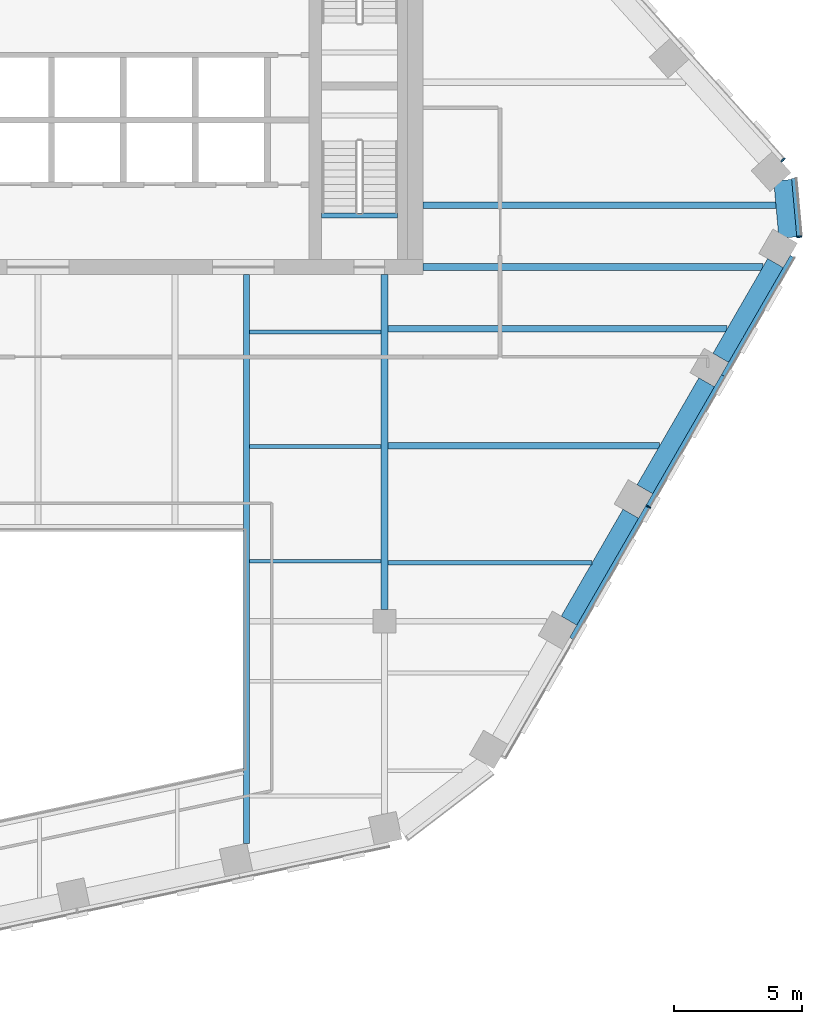
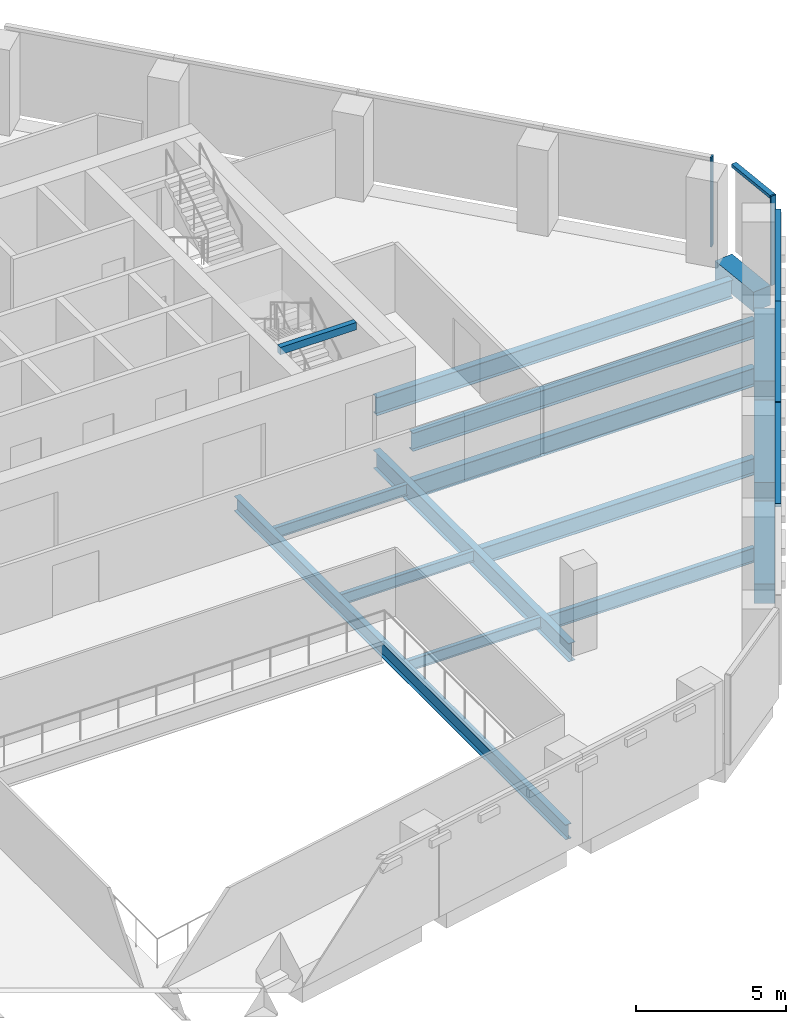
# One storey, part 5 of 16: 15 beams, 7 members, 3 elements without a shape of their own.
"""IFC4 building model written with IfcOpenShell, lengths in metres."""

from ifc_helpers import new_model, si_unit, direction, frame, origin, origin_2d, place, context, subcontext, project, spatial, rectangle, i_section, extrude, material, layer, layer_set, material_profile, profile_set, type_object, element, aggregate, save


model = new_model("IFC4")

# Units and contexts
model_context = context("Model", 3, precision=1e-05, world=origin(), true_north=direction((0.0, 1.0)))
body_context = subcontext(model_context, "Body", "Model", "MODEL_VIEW")
ifc_project = project(units=[si_unit("LENGTHUNIT", "METRE"), si_unit("AREAUNIT", "SQUARE_METRE"), si_unit("VOLUMEUNIT", "CUBIC_METRE"), si_unit("PLANEANGLEUNIT", "RADIAN"), si_unit("MASSUNIT", "GRAM", prefix="KILO")], contexts=[model_context])

# Site, building, storey
site_placement = place(None, origin())
site = spatial("IfcSite", under=ifc_project, at=site_placement, CompositionType="ELEMENT")
building_placement = place(site_placement, origin())
building = spatial("IfcBuilding", under=site, at=building_placement, Name="Isthmus Gate Tower", CompositionType="ELEMENT")
storey_placement = place(building_placement, frame((0.0, 0.0, 216.300048828125)))
storey = spatial("IfcBuildingStorey", under=building, at=storey_placement, Name="L54", CompositionType="ELEMENT", Elevation=216.300048828125)

# Curtain wall, member
ifc_material_1 = material(Name="Aluminium, pale champagne anodised", Category="aluminium")
ifc_layer = layer(ifc_material_1, 0.199951171875)
ifc_layer_set = layer_set([ifc_layer], Name="CW-1 UNITISED CURTAIN WALL 200 DEEP")
curtain_wall_type = type_object("IfcCurtainWallType", Name="CW-1 UNITISED CURTAIN WALL 200 DEEP", PredefinedType="NOTDEFINED", material=ifc_layer_set)
curtain_wall_1_placement = place(storey_placement, origin())
curtain_wall_1 = element("IfcCurtainWall", 1, at=curtain_wall_1_placement, inside=storey, type_object=curtain_wall_type, Name="CW-1 SE L54", PredefinedType="NOTDEFINED")
ifc_material_2 = material(Name="Aluminium, pale champagne anodised", Category="aluminium")
ifc_material_profile_1 = material_profile(ifc_material_2, rectangle(XDim=0.06005859375, YDim=0.199951171875, at=origin_2d()), Name="60x200")
ifc_profile_set_1 = profile_set([ifc_material_profile_1], Name="Aluminium, pale champagne anodised")
member_type_1 = type_object("IfcMemberType", Name="CW-1 MULLION 60 X 200", PredefinedType="MULLION", material=ifc_profile_set_1)
member_1_placement = place(storey_placement, frame((23.767333984375, -9.033935546875, 0.0), z_axis=(0.0, 0.0, 1.0), x_axis=(0.5, 0.866025403784, 0.0)))
member_1 = element("IfcMember", 2, at=member_1_placement, type_object=member_type_1, Name="CW-1 mullion", PredefinedType="MULLION", context=body_context, shape_type="SweptSolid", body=[
    extrude(rectangle(XDim=0.06005859375, YDim=0.199951171875, at=origin_2d()), origin(), (0.0, 0.0, 1.0), 3.64990234375),
])

curtain_wall_2_placement = place(storey_placement, origin())
curtain_wall_2 = element("IfcCurtainWall", 3, at=curtain_wall_2_placement, inside=storey, type_object=curtain_wall_type, Name="CW-1 SE-NE L54", PredefinedType="NOTDEFINED")
member_2_placement = place(storey_placement, frame((29.654296875, 1.4765625, 0.0), z_axis=(0.0, 0.0, 1.0), x_axis=(-0.089396669717, 0.995996102123, 0.0)))
member_2 = element("IfcMember", 4, at=member_2_placement, type_object=member_type_1, Name="CW-1 mullion", PredefinedType="MULLION", context=body_context, shape_type="SweptSolid", body=[
    extrude(rectangle(XDim=0.06005859375, YDim=0.199951171875, at=origin_2d()), origin(), (0.0, 0.0, 1.0), 3.64990234375),
])

curtain_wall_3_placement = place(storey_placement, origin())
curtain_wall_3 = element("IfcCurtainWall", 5, at=curtain_wall_3_placement, inside=storey, type_object=curtain_wall_type, Name="CW-1 NE L54", PredefinedType="NOTDEFINED")
member_3_placement = place(storey_placement, frame((29.016357421875, 4.46923828125, 0.0), z_axis=(0.0, 0.0, 1.0), x_axis=(-0.669130606359, 0.743144825477, 0.0)))
member_3 = element("IfcMember", 6, at=member_3_placement, type_object=member_type_1, Name="CW-1 mullion", PredefinedType="MULLION", context=body_context, shape_type="SweptSolid", body=[
    extrude(rectangle(XDim=0.06005859375, YDim=0.199951171875, at=origin_2d()), origin(), (0.0, 0.0, 1.0), 3.64990234375),
])
aggregate(curtain_wall_3, [member_3])

# Member
ifc_material_3 = material(Name="Aluminium, pale champagne anodised", Category="aluminium")
ifc_material_profile_2 = material_profile(ifc_material_3, rectangle(XDim=0.199951171875, YDim=0.1298828125, at=origin_2d()), Name="200x130")
ifc_profile_set_2 = profile_set([ifc_material_profile_2], Name="Aluminium, pale champagne anodised")
member_type_2 = type_object("IfcMemberType", Name="CW-1 TRANSOM 200 X 130", PredefinedType="USERDEFINED", material=ifc_profile_set_2)
member_4_placement = place(storey_placement, frame((20.796875, -14.178466796875, 3.5849609375), z_axis=(0.500008496284, 0.866020498397, 0.0), x_axis=(-0.866020498397, 0.500008496284, 0.0)))
member_4 = element("IfcMember", 7, at=member_4_placement, type_object=member_type_2, Name="CW-1 transom", ObjectType="TRANSOM", PredefinedType="USERDEFINED", context=body_context, shape_type="SweptSolid", body=[
    extrude(rectangle(XDim=0.199951171875, YDim=0.1298828125, at=origin_2d()), origin(), (0.0, 0.0, 1.0), 5.91064453125),
])

member_5_placement = place(storey_placement, frame((23.7822265625, -9.0078125, 3.5849609375), z_axis=(0.500007820066, 0.86602088882, 0.0), x_axis=(-0.86602088882, 0.500007820066, 0.0)))
member_5 = element("IfcMember", 8, at=member_5_placement, type_object=member_type_2, Name="CW-1 transom", ObjectType="TRANSOM", PredefinedType="USERDEFINED", context=body_context, shape_type="SweptSolid", body=[
    extrude(rectangle(XDim=0.199951171875, YDim=0.1298828125, at=origin_2d()), origin(), (0.0, 0.0, 1.0), 5.8505859375),
])

member_6_placement = place(storey_placement, frame((26.70751953125, -3.941162109375, 3.5849609375), z_axis=(0.50002338526, 0.866011901877, 0.0), x_axis=(-0.866011901877, 0.50002338526, 0.0)))
member_6 = element("IfcMember", 9, at=member_6_placement, type_object=member_type_2, Name="CW-1 transom", ObjectType="TRANSOM", PredefinedType="USERDEFINED", context=body_context, shape_type="SweptSolid", body=[
    extrude(rectangle(XDim=0.199951171875, YDim=0.1298828125, at=origin_2d()), origin(), (0.0, 0.0, 1.0), 5.360595703125),
])

aggregate(curtain_wall_1, [member_4, member_1, member_5, member_6])

member_7_placement = place(storey_placement, frame((29.651611328125, 1.506591796875, 3.5849609375), z_axis=(-0.089395362867, 0.995996219419, 0.0), x_axis=(-0.995996219419, -0.089395362867, 0.0)))
member_7 = element("IfcMember", 10, at=member_7_placement, type_object=member_type_2, Name="CW-1 transom", ObjectType="TRANSOM", PredefinedType="USERDEFINED", context=body_context, shape_type="SweptSolid", body=[
    extrude(rectangle(XDim=0.199951171875, YDim=0.1298828125, at=origin_2d()), origin(), (0.0, 0.0, 1.0), 2.258544921875),
])

aggregate(curtain_wall_2, [member_2, member_7])

# Beams
ifc_material_4 = material(Name="Concrete f'c 50 MPa", Category="concrete")
ifc_material_profile_3 = material_profile(ifc_material_4, rectangle(XDim=0.699951171875, YDim=0.800048828125, at=origin_2d()), Name="RC 700X800")
ifc_profile_set_3 = profile_set([ifc_material_profile_3], Name="Concrete f'c 50 MPa")
beam_type_1 = type_object("IfcBeamType", Name="RC SPANDREL 700 X 800", PredefinedType="SPANDREL", material=ifc_profile_set_3)
beam_1_placement = place(storey_placement, frame((29.0048828125, 3.678466796875, -0.400146484375), z_axis=(0.089359478208, -0.995999439585, 0.0), x_axis=(0.995999439585, 0.089359478208, 0.0)))
element("IfcBeam", 11, at=beam_1_placement, inside=storey, type_object=beam_type_1, Name="str-spandrel-L54-05", PredefinedType="SPANDREL", context=body_context, shape_type="SweptSolid", body=[
    extrude(rectangle(XDim=0.699951171875, YDim=0.800048828125, at=origin_2d()), origin(), (0.0, 0.0, 1.0), 2.245849609375),
])
beam_2_placement = place(storey_placement, frame((28.72314453125, 0.449951171875, -0.400146484375), z_axis=(-0.500021719575, -0.866012863619, 0.0), x_axis=(0.866012863619, -0.500021719575, 0.0)))
element("IfcBeam", 12, at=beam_2_placement, inside=storey, type_object=beam_type_1, Name="str-spandrel-L54-06", PredefinedType="SPANDREL", context=body_context, shape_type="SweptSolid", body=[
    extrude(rectangle(XDim=0.699951171875, YDim=0.800048828125, at=origin_2d()), origin(), (0.0, 0.0, 1.0), 4.260498046875),
])
for number, where, z_axis, x_axis, name in (
    (13, (26.04296875, -4.1923828125, -0.400146484375), (-0.500019702373, -0.866014028315, 0.0), (0.866014028315, -0.500019702373, 0.0), "str-spandrel-L54-07"),
    (14, (23.087646484375, -9.31103515625, -0.400146484375), (-0.49998164095, -0.866036003127, 0.0), (0.866036003127, -0.49998164095, 0.0), "str-spandrel-L54-08"),
):
    element("IfcBeam", number, at=place(storey_placement, frame(where, z_axis=z_axis, x_axis=x_axis)), inside=storey, type_object=beam_type_1, Name=name, PredefinedType="SPANDREL", context=body_context, shape_type="SweptSolid", body=[
        extrude(rectangle(XDim=0.699951171875, YDim=0.800048828125, at=origin_2d()), origin(), (0.0, 0.0, 1.0), 4.810791015625),
    ])
ifc_material_5 = material(Name="Concrete f'c 40 MPa", Category="concrete")
ifc_material_profile_4 = material_profile(ifc_material_5, rectangle(XDim=0.199951171875, YDim=0.300048828125, at=origin_2d()), Name="STAIR LANDING BEAM RC 200 X 300")
ifc_profile_set_4 = profile_set([ifc_material_profile_4], Name="Concrete f'c 40 MPa")
beam_type_2 = type_object("IfcBeamType", Name="STAIR LANDING BEAM RC 200 X 300", PredefinedType="BEAM", material=ifc_profile_set_4)
beam_3_placement = place(storey_placement, frame((11.050048828125, 2.2998046875, 3.349853515625), z_axis=(1.0, 0.0, 0.0), x_axis=(0.0, 1.0, 0.0)))
element("IfcBeam", 15, at=beam_3_placement, inside=storey, type_object=beam_type_2, Name="L54 ST8 floor-edge seat beam", PredefinedType="BEAM", context=body_context, shape_type="SweptSolid", body=[
    extrude(rectangle(XDim=0.199951171875, YDim=0.300048828125, at=origin_2d()), origin(), (0.0, 0.0, 1.0), 2.949951171875),
])
ifc_material_6 = material(Name="Structural steel ASTM A992 Gr 50", Category="steel")
ifc_material_profile_5 = material_profile(ifc_material_6, i_section(OverallWidth=0.15234375, OverallDepth=0.45068359375, WebThickness=0.0078125, FlangeThickness=0.010986328125, at=origin_2d()), Name="W18X35")
ifc_profile_set_5 = profile_set([ifc_material_profile_5], Name="Structural steel ASTM A992 Gr 50")
beam_type_3 = type_object("IfcBeamType", Name="STEEL FLOOR BEAM W18X35", PredefinedType="JOIST", material=ifc_profile_set_5)
for number, where, z_axis, x_axis, name in (
    (16, (8.228515625, -11.16259765625, -0.37548828125), (1.0, 0.0, 0.0), (0.0, 1.0, 0.0), "str-beam-L54-10-00"),
    (17, (8.228515625, -6.697509765625, -0.37548828125), (1.0, 0.0, 0.0), (0.0, 1.0, 0.0), "str-beam-L54-10-01"),
    (18, (8.228515625, -2.232421875, -0.37548828125), (1.0, 0.0, 0.0), (0.0, 1.0, 0.0), "str-beam-L54-10-02"),
):
    element("IfcBeam", number, at=place(storey_placement, frame(where, z_axis=z_axis, x_axis=x_axis)), inside=storey, type_object=beam_type_3, Name=name, PredefinedType="JOIST", context=body_context, shape_type="SweptSolid", body=[
        extrude(i_section(OverallWidth=0.15234375, OverallDepth=0.45068359375, WebThickness=0.0078125, FlangeThickness=0.010986328125, at=origin_2d()), origin(), (0.0, 0.0, 1.0), 5.1396484375),
    ])
ifc_material_7 = material(Name="Structural steel ASTM A992 Gr 50", Category="steel")
ifc_material_profile_6 = material_profile(ifc_material_7, i_section(OverallWidth=0.177734375, OverallDepth=0.60009765625, WebThickness=0.009521484375, FlangeThickness=0.0126953125, at=origin_2d()), Name="W24X55")
ifc_profile_set_6 = profile_set([ifc_material_profile_6], Name="Structural steel ASTM A992 Gr 50")
beam_type_4 = type_object("IfcBeamType", Name="STEEL FLOOR BEAM W24X55", PredefinedType="JOIST", material=ifc_profile_set_6)
beam_4_placement = place(storey_placement, frame((13.6318359375, -11.221923828125, -0.4501953125), z_axis=(1.0, 0.0, 0.0), x_axis=(0.0, 1.0, 0.0)))
element("IfcBeam", 19, at=beam_4_placement, inside=storey, type_object=beam_type_4, Name="str-beam-L54-12-00", PredefinedType="JOIST", context=body_context, shape_type="SweptSolid", body=[
    extrude(i_section(OverallWidth=0.177734375, OverallDepth=0.60009765625, WebThickness=0.009521484375, FlangeThickness=0.0126953125, at=origin_2d()), origin(), (0.0, 0.0, 1.0), 7.948486328125),
])
ifc_material_8 = material(Name="Structural steel ASTM A992 Gr 50", Category="steel")
ifc_material_profile_7 = material_profile(ifc_material_8, i_section(OverallWidth=0.25390625, OverallDepth=0.679443359375, WebThickness=0.010986328125, FlangeThickness=0.015869140625, at=origin_2d()), Name="W27X84")
ifc_profile_set_7 = profile_set([ifc_material_profile_7], Name="Structural steel ASTM A992 Gr 50")
beam_type_5 = type_object("IfcBeamType", Name="STEEL FLOOR BEAM W27X84", PredefinedType="JOIST", material=ifc_profile_set_7)
beam_5_placement = place(storey_placement, frame((13.6318359375, -6.665771484375, -0.48974609375), z_axis=(1.0, 0.0, 0.0), x_axis=(0.0, 1.0, 0.0)))
element("IfcBeam", 20, at=beam_5_placement, inside=storey, type_object=beam_type_5, Name="str-beam-L54-12-01", PredefinedType="JOIST", context=body_context, shape_type="SweptSolid", body=[
    extrude(i_section(OverallWidth=0.25390625, OverallDepth=0.679443359375, WebThickness=0.010986328125, FlangeThickness=0.015869140625, at=origin_2d()), origin(), (0.0, 0.0, 1.0), 10.578857421875),
])
ifc_material_9 = material(Name="Structural steel ASTM A992 Gr 50", Category="steel")
ifc_material_profile_8 = material_profile(ifc_material_9, i_section(OverallWidth=0.263427734375, OverallDepth=0.749267578125, WebThickness=0.0126953125, FlangeThickness=0.015869140625, at=origin_2d()), Name="W30X90")
ifc_profile_set_8 = profile_set([ifc_material_profile_8], Name="Structural steel ASTM A992 Gr 50")
beam_type_6 = type_object("IfcBeamType", Name="STEEL FLOOR BEAM W30X90", PredefinedType="JOIST", material=ifc_profile_set_8)
beam_6_placement = place(storey_placement, frame((13.6318359375, -2.10986328125, -0.524658203125), z_axis=(1.0, 0.0, 0.0), x_axis=(0.0, 1.0, 0.0)))
element("IfcBeam", 21, at=beam_6_placement, inside=storey, type_object=beam_type_6, Name="str-beam-L54-12-02", PredefinedType="JOIST", context=body_context, shape_type="SweptSolid", body=[
    extrude(i_section(OverallWidth=0.263427734375, OverallDepth=0.749267578125, WebThickness=0.0126953125, FlangeThickness=0.015869140625, at=origin_2d()), origin(), (0.0, 0.0, 1.0), 13.209228515625),
])
beam_7_placement = place(storey_placement, frame((15.0, 2.699951171875, -0.524658203125), z_axis=(1.0, 0.0, 0.0), x_axis=(0.0, 1.0, 0.0)))
element("IfcBeam", 22, at=beam_7_placement, inside=storey, type_object=beam_type_6, Name="str-beam-L54-13-00", PredefinedType="JOIST", context=body_context, shape_type="SweptSolid", body=[
    extrude(i_section(OverallWidth=0.263427734375, OverallDepth=0.749267578125, WebThickness=0.0126953125, FlangeThickness=0.015869140625, at=origin_2d()), origin(), (0.0, 0.0, 1.0), 13.7412109375),
])
ifc_material_10 = material(Name="Structural steel ASTM A992 Gr 50", Category="steel")
ifc_material_profile_9 = material_profile(ifc_material_10, i_section(OverallWidth=0.263427734375, OverallDepth=0.749267578125, WebThickness=0.0126953125, FlangeThickness=0.015869140625, at=origin_2d()), Name="W30X90")
ifc_profile_set_9 = profile_set([ifc_material_profile_9], Name="Structural steel ASTM A992 Gr 50")
beam_type_7 = type_object("IfcBeamType", Name="STEEL GIRDER W30X90", PredefinedType="BEAM", material=ifc_profile_set_9)
beam_8_placement = place(storey_placement, frame((13.5, -13.050048828125, -0.524658203125), z_axis=(0.0, 1.0, 0.0), x_axis=(-1.0, 0.0, 0.0)))
element("IfcBeam", 23, at=beam_8_placement, inside=storey, type_object=beam_type_7, Name="str-girder-L54-08", PredefinedType="BEAM", context=body_context, shape_type="SweptSolid", body=[
    extrude(i_section(OverallWidth=0.263427734375, OverallDepth=0.749267578125, WebThickness=0.0126953125, FlangeThickness=0.015869140625, at=origin_2d()), origin(), (0.0, 0.0, 1.0), 13.050048828125),
])
beam_9_placement = place(storey_placement, frame((15.0, 0.300048828125, -0.524658203125), z_axis=(1.0, 0.0, 0.0), x_axis=(0.0, 1.0, 0.0)))
element("IfcBeam", 24, at=beam_9_placement, inside=storey, type_object=beam_type_7, Name="str-girder-L54-10", PredefinedType="BEAM", context=body_context, shape_type="SweptSolid", body=[
    extrude(i_section(OverallWidth=0.263427734375, OverallDepth=0.749267578125, WebThickness=0.0126953125, FlangeThickness=0.015869140625, at=origin_2d()), origin(), (0.0, 0.0, 1.0), 13.232421875),
])
ifc_material_11 = material(Name="Structural steel ASTM A992 Gr 50", Category="steel")
ifc_material_profile_10 = material_profile(ifc_material_11, i_section(OverallWidth=0.228515625, OverallDepth=0.6064453125, WebThickness=0.010986328125, FlangeThickness=0.017578125, at=origin_2d()), Name="W24X76")
ifc_profile_set_10 = profile_set([ifc_material_profile_10], Name="Structural steel ASTM A992 Gr 50")
beam_type_8 = type_object("IfcBeamType", Name="STEEL TRIMMER W24X76", PredefinedType="BEAM", material=ifc_profile_set_10)
beam_10_placement = place(storey_placement, frame((8.1142578125, -22.150634765625, -0.453369140625), z_axis=(0.0, 1.0, 0.0), x_axis=(-1.0, 0.0, 0.0)))
element("IfcBeam", 25, at=beam_10_placement, inside=storey, type_object=beam_type_8, Name="str-trimmer-L54-01", PredefinedType="BEAM", context=body_context, shape_type="SweptSolid", body=[
    extrude(i_section(OverallWidth=0.228515625, OverallDepth=0.6064453125, WebThickness=0.010986328125, FlangeThickness=0.017578125, at=origin_2d()), origin(), (0.0, 0.0, 1.0), 22.150634765625),
])

save(model, "model.ifc")
